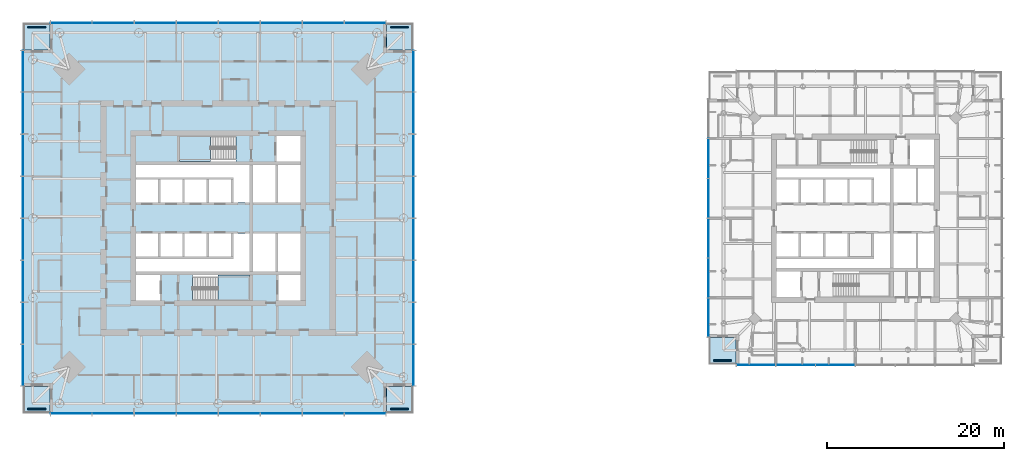
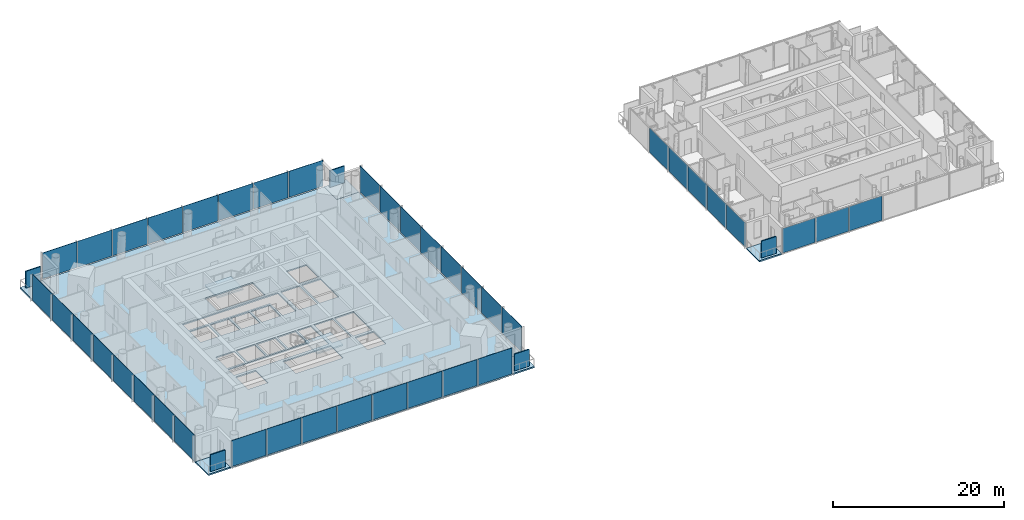
# One storey, part 6 of 19: 45 plates, 8 slabs, 8 elements without a shape of their own.
"""IFC4 building model written with IfcOpenShell, lengths in metres."""

from ifc_helpers import new_model, si_unit, direction, frame, origin, origin_2d, place, context, subcontext, project, spatial, polyline, rectangle, outline, extrude, material, layer, layer_set, type_object, element, aggregate, save


model = new_model("IFC4")

# Units and contexts
model_context = context("Model", 3, precision=1e-05, world=origin(), true_north=direction((0.0, 1.0)))
body_context = subcontext(model_context, "Body", "Model", "MODEL_VIEW")
ifc_project = project(units=[si_unit("LENGTHUNIT", "METRE"), si_unit("AREAUNIT", "SQUARE_METRE"), si_unit("VOLUMEUNIT", "CUBIC_METRE"), si_unit("PLANEANGLEUNIT", "RADIAN"), si_unit("MASSUNIT", "GRAM", prefix="KILO")], contexts=[model_context])

# Site, building, storey
site_placement = place(None, origin())
site = spatial("IfcSite", under=ifc_project, at=site_placement, CompositionType="ELEMENT")
building_placement = place(site_placement, origin())
building = spatial("IfcBuilding", under=site, at=building_placement, Name="Ostroluk Exchange", CompositionType="ELEMENT")
storey_placement = place(building_placement, frame((0.0, 0.0, 116.0)))
storey = spatial("IfcBuildingStorey", under=building, at=storey_placement, Name="L29", CompositionType="ELEMENT", Elevation=116.0)

# Curtain wall, plates
ifc_material_1 = material(Name="Laminated clear glass", Category="glass")
curtain_wall_type_1 = type_object("IfcCurtainWallType", Name="Hotel guest floor facade", PredefinedType="USERDEFINED", material=ifc_material_1)
curtain_wall_1_placement = place(storey_placement, origin())
curtain_wall_1 = element("IfcCurtainWall", 1, at=curtain_wall_1_placement, inside=storey, type_object=curtain_wall_type_1, Name="Hotel tower south facade L29", ObjectType="UNITISED CURTAIN WALL", PredefinedType="USERDEFINED")
ifc_material_2 = material(Name="Laminated clear glass", Category="glass")
ifc_layer_1 = layer(ifc_material_2, 0.0400390625)
ifc_layer_set_1 = layer_set([ifc_layer_1], Name="Acoustic laminated glazing 40")
plate_type_1 = type_object("IfcPlateType", Name="Acoustic laminated glazing 40", PredefinedType="CURTAIN_PANEL", material=ifc_layer_set_1)
plate_1_placement = place(storey_placement, frame((105.77001953125, 29.425048828125, 0.080078125), z_axis=(0.0, 0.0, 1.0), x_axis=(1.0, 0.0, 0.0)))
plate_1 = element("IfcPlate", 2, at=plate_1_placement, type_object=plate_type_1, Name="CW-H1 panel 1.1", PredefinedType="CURTAIN_PANEL", context=body_context, shape_type="SweptSolid", body=[
    extrude(rectangle(XDim=4.3798828125, YDim=0.0400390625, at=origin_2d()), origin(), (0.0, 0.0, 1.0), 3.489990234375),
])
plate_2_placement = place(storey_placement, frame((110.25, 29.425048828125, 0.080078125), z_axis=(0.0, 0.0, 1.0), x_axis=(1.0, 0.0, 0.0)))
plate_2 = element("IfcPlate", 3, at=plate_2_placement, type_object=plate_type_1, Name="CW-H1 panel 2.1", PredefinedType="CURTAIN_PANEL", context=body_context, shape_type="SweptSolid", body=[
    extrude(rectangle(XDim=4.419921875, YDim=0.0400390625, at=origin_2d()), origin(), (0.0, 0.0, 1.0), 3.489990234375),
])
plate_3_placement = place(storey_placement, frame((114.75, 29.425048828125, 0.080078125), z_axis=(0.0, 0.0, 1.0), x_axis=(1.0, 0.0, 0.0)))
plate_3 = element("IfcPlate", 4, at=plate_3_placement, type_object=plate_type_1, Name="CW-H1 panel 3.1", PredefinedType="CURTAIN_PANEL", context=body_context, shape_type="SweptSolid", body=[
    extrude(rectangle(XDim=4.419921875, YDim=0.0400390625, at=origin_2d()), origin(), (0.0, 0.0, 1.0), 3.489990234375),
])
aggregate(curtain_wall_1, [plate_1, plate_2, plate_3])

curtain_wall_2_placement = place(storey_placement, origin())
curtain_wall_2 = element("IfcCurtainWall", 5, at=curtain_wall_2_placement, inside=storey, type_object=curtain_wall_type_1, Name="Hotel tower west facade L29", ObjectType="UNITISED CURTAIN WALL", PredefinedType="USERDEFINED")
plate_4_placement = place(storey_placement, frame((100.425048828125, 52.75, 0.080078125), z_axis=(0.0, 0.0, 1.0), x_axis=(0.0, -1.0, 0.0)))
plate_4 = element("IfcPlate", 6, at=plate_4_placement, type_object=plate_type_1, Name="CW-H1 panel 2.1", PredefinedType="CURTAIN_PANEL", context=body_context, shape_type="SweptSolid", body=[
    extrude(rectangle(XDim=4.419921875, YDim=0.0400390625, at=origin_2d()), origin(), (0.0, 0.0, 1.0), 3.489990234375),
])
plate_5_placement = place(storey_placement, frame((100.425048828125, 48.25, 0.080078125), z_axis=(0.0, 0.0, 1.0), x_axis=(0.0, -1.0, 0.0)))
plate_5 = element("IfcPlate", 7, at=plate_5_placement, type_object=plate_type_1, Name="CW-H1 panel 3.1", PredefinedType="CURTAIN_PANEL", context=body_context, shape_type="SweptSolid", body=[
    extrude(rectangle(XDim=4.419921875, YDim=0.0400390625, at=origin_2d()), origin(), (0.0, 0.0, 1.0), 3.489990234375),
])
plate_6_placement = place(storey_placement, frame((100.425048828125, 43.75, 0.080078125), z_axis=(0.0, 0.0, 1.0), x_axis=(0.0, -1.0, 0.0)))
plate_6 = element("IfcPlate", 8, at=plate_6_placement, type_object=plate_type_1, Name="CW-H1 panel 4.1", PredefinedType="CURTAIN_PANEL", context=body_context, shape_type="SweptSolid", body=[
    extrude(rectangle(XDim=4.419921875, YDim=0.0400390625, at=origin_2d()), origin(), (0.0, 0.0, 1.0), 3.489990234375),
])
plate_7_placement = place(storey_placement, frame((100.425048828125, 39.25, 0.080078125), z_axis=(0.0, 0.0, 1.0), x_axis=(0.0, -1.0, 0.0)))
plate_7 = element("IfcPlate", 9, at=plate_7_placement, type_object=plate_type_1, Name="CW-H1 panel 5.1", PredefinedType="CURTAIN_PANEL", context=body_context, shape_type="SweptSolid", body=[
    extrude(rectangle(XDim=4.419921875, YDim=0.0400390625, at=origin_2d()), origin(), (0.0, 0.0, 1.0), 3.489990234375),
])
plate_8_placement = place(storey_placement, frame((100.425048828125, 34.77001953125, 0.080078125), z_axis=(0.0, 0.0, 1.0), x_axis=(0.0, -1.0, 0.0)))
plate_8 = element("IfcPlate", 10, at=plate_8_placement, type_object=plate_type_1, Name="CW-H1 panel 6.1", PredefinedType="CURTAIN_PANEL", context=body_context, shape_type="SweptSolid", body=[
    extrude(rectangle(XDim=4.3798828125, YDim=0.0400390625, at=origin_2d()), origin(), (0.0, 0.0, 1.0), 3.489990234375),
])
aggregate(curtain_wall_2, [plate_4, plate_5, plate_6, plate_7, plate_8])

# Slabs
ifc_material_3 = material(Name="Concrete C35/45", Category="concrete")
ifc_layer_2 = layer(ifc_material_3, 0.179931640625)
ifc_layer_set_2 = layer_set([ifc_layer_2], Name="Balcony slab 180")
slab_type_1 = type_object("IfcSlabType", Name="Balcony slab 180", PredefinedType="USERDEFINED", material=ifc_layer_set_2)
slab_1_placement = place(storey_placement, frame((0.0, 0.0, -0.179931640625)))
element("IfcSlab", 11, at=slab_1_placement, inside=storey, type_object=slab_type_1, Name="Office tower SE corner balcony L29", ObjectType="BALCONY", PredefinedType="USERDEFINED", context=body_context, shape_type="SweptSolid", body=[
    extrude(outline(polyline([(64.0, 24.0), (67.0, 24.0), (67.0, 27.0), (64.0, 27.0), (64.0, 24.0)])), origin(), (0.0, 0.0, 1.0), 0.179931640625),
])
slab_2_placement = place(storey_placement, frame((0.0, 0.0, -0.179931640625)))
element("IfcSlab", 12, at=slab_2_placement, inside=storey, type_object=slab_type_1, Name="Office tower NE corner balcony L29", ObjectType="BALCONY", PredefinedType="USERDEFINED", context=body_context, shape_type="SweptSolid", body=[
    extrude(outline(polyline([(64.0, 65.0), (67.0, 65.0), (67.0, 68.0), (64.0, 68.0), (64.0, 65.0)])), origin(), (0.0, 0.0, 1.0), 0.179931640625),
])
slab_3_placement = place(storey_placement, frame((0.0, 0.0, -0.179931640625)))
element("IfcSlab", 13, at=slab_3_placement, inside=storey, type_object=slab_type_1, Name="Office tower NW corner balcony L29", ObjectType="BALCONY", PredefinedType="USERDEFINED", context=body_context, shape_type="SweptSolid", body=[
    extrude(outline(polyline([(23.0, 65.0), (26.0, 65.0), (26.0, 68.0), (23.0, 68.0), (23.0, 65.0)])), origin(), (0.0, 0.0, 1.0), 0.179931640625),
])
slab_4_placement = place(storey_placement, frame((0.0, 0.0, -0.179931640625)))
element("IfcSlab", 14, at=slab_4_placement, inside=storey, type_object=slab_type_1, Name="Office tower SW corner balcony L29", ObjectType="BALCONY", PredefinedType="USERDEFINED", context=body_context, shape_type="SweptSolid", body=[
    extrude(outline(polyline([(23.0, 24.0), (26.0, 24.0), (26.0, 27.0), (23.0, 27.0), (23.0, 24.0)])), origin(), (0.0, 0.0, 1.0), 0.179931640625),
])
ifc_material_4 = material(Name="Concrete C35/45", Category="concrete")
ifc_layer_3 = layer(ifc_material_4, 0.199951171875)
ifc_layer_set_3 = layer_set([ifc_layer_3], Name="Balcony slab 200")
slab_type_2 = type_object("IfcSlabType", Name="Balcony slab 200", PredefinedType="USERDEFINED", material=ifc_layer_set_3)
slab_5_placement = place(storey_placement, frame((0.0, 0.0, -0.199951171875)))
element("IfcSlab", 15, at=slab_5_placement, inside=storey, type_object=slab_type_2, Name="Hotel tower SW corner balcony L29", ObjectType="BALCONY", PredefinedType="USERDEFINED", context=body_context, shape_type="SweptSolid", body=[
    extrude(outline(polyline([(100.5, 29.5), (103.5, 29.5), (103.5, 32.5), (100.5, 32.5), (100.5, 29.5)])), origin(), (0.0, 0.0, 1.0), 0.199951171875),
])

# Plates
ifc_material_5 = material(Name="Steel S355 trellis with planting", Category="steel")
ifc_layer_4 = layer(ifc_material_5, 0.14990234375)
ifc_layer_set_4 = layer_set([ifc_layer_4], Name="Planted screen 150")
plate_type_2 = type_object("IfcPlateType", Name="Planted screen 150", PredefinedType="USERDEFINED", material=ifc_layer_set_4)
for number, where, z_axis, x_axis, name in (
    (16, (65.5, 24.425048828125, 0.0), (0.0, 0.0, 1.0), (1.0, 0.0, 0.0), "Office tower SE planted screen L29"),
    (17, (65.5, 67.574951171875, 0.0), (0.0, 0.0, 1.0), (1.0, 0.0, 0.0), "Office tower NE planted screen L29"),
    (18, (24.5, 67.574951171875, 0.0), (0.0, 0.0, 1.0), (1.0, 0.0, 0.0), "Office tower NW planted screen L29"),
    (19, (24.5, 24.425048828125, 0.0), (0.0, 0.0, 1.0), (1.0, 0.0, 0.0), "Office tower SW planted screen L29"),
    (20, (102.0, 29.925048828125, 0.0), (0.0, 0.0, 1.0), (1.0, 0.0, 0.0), "Hotel tower SW planted screen L29"),
):
    element("IfcPlate", number, at=place(storey_placement, frame(where, z_axis=z_axis, x_axis=x_axis)), inside=storey, type_object=plate_type_2, Name=name, ObjectType="PLANTED SCREEN", PredefinedType="USERDEFINED", context=body_context, shape_type="SweptSolid", body=[
        extrude(rectangle(XDim=2.0, YDim=0.14990234375, at=origin_2d()), origin(), (0.0, 0.0, 1.0), 2.39990234375),
    ])

# Stair, slab
ifc_material_6 = material(Name="Concrete C30/37", Category="concrete")
stair_type = type_object("IfcStairType", Name="Exit stair half turn 3800", PredefinedType="HALF_TURN_STAIR", material=ifc_material_6)
stair_1_placement = place(storey_placement, origin())
stair_1 = element("IfcStair", 21, at=stair_1_placement, inside=storey, type_object=stair_type, Name="Stair T1-S1 L29", PredefinedType="HALF_TURN_STAIR")
ifc_material_7 = material(Name="Concrete C30/37", Category="concrete")
ifc_layer_5 = layer(ifc_material_7, 0.199951171875)
ifc_layer_set_5 = layer_set([ifc_layer_5], Name="Stair landing 200")
slab_type_3 = type_object("IfcSlabType", Name="Stair landing 200", PredefinedType="LANDING", material=ifc_layer_set_5)
slab_6_placement = place(storey_placement, frame((0.0, 0.0, 1.699951171875)))
slab_6 = element("IfcSlab", 22, at=slab_6_placement, type_object=slab_type_3, Name="T1-S1 landing 1", PredefinedType="LANDING", context=body_context, shape_type="SweptSolid", body=[
    extrude(outline(polyline([(45.0, 36.699951171875), (45.0, 39.60009765625), (48.530029296875, 39.60009765625), (48.530029296875, 36.699951171875), (45.0, 36.699951171875)])), origin(), (0.0, 0.0, 1.0), 0.199951171875),
])
aggregate(stair_1, [slab_6])

stair_2_placement = place(storey_placement, origin())
stair_2 = element("IfcStair", 23, at=stair_2_placement, inside=storey, type_object=stair_type, Name="Stair T1-S2 L29", PredefinedType="HALF_TURN_STAIR")
slab_7_placement = place(storey_placement, frame((0.0, 0.0, 1.699951171875)))
slab_7 = element("IfcSlab", 24, at=slab_7_placement, type_object=slab_type_3, Name="T1-S2 landing 1", PredefinedType="LANDING", context=body_context, shape_type="SweptSolid", body=[
    extrude(outline(polyline([(44.1298828125, 52.39990234375), (44.1298828125, 55.300048828125), (40.60009765625, 55.300048828125), (40.60009765625, 52.39990234375), (44.1298828125, 52.39990234375)])), origin(), (0.0, 0.0, 1.0), 0.199951171875),
])
aggregate(stair_2, [slab_7])

# Slab
ifc_material_8 = material(Name="Concrete C35/45", Category="concrete")
ifc_layer_6 = layer(ifc_material_8, 0.179931640625)
ifc_layer_set_6 = layer_set([ifc_layer_6], Name="Tower floor slab 180 composite")
slab_type_4 = type_object("IfcSlabType", Name="Tower floor slab 180 composite", PredefinedType="FLOOR", material=ifc_layer_set_6)
slab_8_placement = place(storey_placement, frame((0.0, 0.0, -0.179931640625)))
element("IfcSlab", 25, at=slab_8_placement, inside=storey, type_object=slab_type_4, Name="Office tower floor slab L29", PredefinedType="FLOOR", context=body_context, shape_type="SweptSolid", body=[
    extrude(outline(polyline([(26.0, 24.0), (64.0, 24.0), (64.0, 27.0), (67.0, 27.0), (67.0, 65.0), (64.0, 65.0), (64.0, 68.0), (26.0, 68.0), (26.0, 65.0), (23.0, 65.0), (23.0, 27.0), (26.0, 27.0), (26.0, 24.0)]), holes=[polyline([(35.699951171875, 36.699951171875), (38.39990234375, 36.699951171875), (38.39990234375, 39.60009765625), (35.699951171875, 39.60009765625), (35.699951171875, 36.699951171875)]), polyline([(42.110107421875, 36.699951171875), (48.530029296875, 36.699951171875), (48.530029296875, 39.60009765625), (42.110107421875, 39.60009765625), (42.110107421875, 36.699951171875)]), polyline([(51.800048828125, 36.699951171875), (54.300048828125, 36.699951171875), (54.300048828125, 39.60009765625), (51.800048828125, 39.60009765625), (51.800048828125, 36.699951171875)]), polyline([(40.60009765625, 52.39990234375), (47.02001953125, 52.39990234375), (47.02001953125, 55.300048828125), (40.60009765625, 55.300048828125), (40.60009765625, 52.39990234375)]), polyline([(51.60009765625, 52.39990234375), (54.300048828125, 52.39990234375), (54.300048828125, 55.300048828125), (51.60009765625, 55.300048828125), (51.60009765625, 52.39990234375)]), polyline([(35.699951171875, 47.75), (38.199951171875, 47.75), (38.199951171875, 50.35009765625), (35.699951171875, 50.35009765625), (35.699951171875, 47.75)]), polyline([(38.449951171875, 47.75), (40.949951171875, 47.75), (40.949951171875, 50.35009765625), (38.449951171875, 50.35009765625), (38.449951171875, 47.75)]), polyline([(41.199951171875, 47.75), (43.699951171875, 47.75), (43.699951171875, 50.35009765625), (41.199951171875, 50.35009765625), (41.199951171875, 47.75)]), polyline([(43.949951171875, 47.75), (46.449951171875, 47.75), (46.449951171875, 50.35009765625), (43.949951171875, 50.35009765625), (43.949951171875, 47.75)]), polyline([(35.699951171875, 41.64990234375), (38.199951171875, 41.64990234375), (38.199951171875, 44.25), (35.699951171875, 44.25), (35.699951171875, 41.64990234375)]), polyline([(38.449951171875, 41.64990234375), (40.949951171875, 41.64990234375), (40.949951171875, 44.25), (38.449951171875, 44.25), (38.449951171875, 41.64990234375)]), polyline([(41.199951171875, 41.64990234375), (43.699951171875, 41.64990234375), (43.699951171875, 44.25), (41.199951171875, 44.25), (41.199951171875, 41.64990234375)]), polyline([(43.949951171875, 41.64990234375), (46.449951171875, 41.64990234375), (46.449951171875, 44.25), (43.949951171875, 44.25), (43.949951171875, 41.64990234375)]), polyline([(48.929931640625, 47.75), (51.489990234375, 47.75), (51.489990234375, 52.0), (48.929931640625, 52.0), (48.929931640625, 47.75)]), polyline([(51.739990234375, 47.75), (54.300048828125, 47.75), (54.300048828125, 52.0), (51.739990234375, 52.0), (51.739990234375, 47.75)]), polyline([(48.929931640625, 40.0), (51.489990234375, 40.0), (51.489990234375, 44.25), (48.929931640625, 44.25), (48.929931640625, 40.0)]), polyline([(51.739990234375, 40.0), (54.300048828125, 40.0), (54.300048828125, 44.25), (51.739990234375, 44.25), (51.739990234375, 40.0)]), polyline([(48.530029296875, 52.0), (48.530029296875, 47.75), (46.699951171875, 47.75), (46.699951171875, 50.60009765625), (35.699951171875, 50.60009765625), (35.699951171875, 52.0), (48.530029296875, 52.0)]), polyline([(35.699951171875, 40.0), (35.699951171875, 41.39990234375), (46.699951171875, 41.39990234375), (46.699951171875, 44.25), (48.530029296875, 44.25), (48.530029296875, 40.0), (35.699951171875, 40.0)])]), origin(), (0.0, 0.0, 1.0), 0.179931640625),
])

# Curtain wall, plates
ifc_material_9 = material(Name="Laminated clear glass", Category="glass")
curtain_wall_type_2 = type_object("IfcCurtainWallType", Name="Office tower facade", PredefinedType="USERDEFINED", material=ifc_material_9)
curtain_wall_3_placement = place(storey_placement, origin())
curtain_wall_3 = element("IfcCurtainWall", 26, at=curtain_wall_3_placement, inside=storey, type_object=curtain_wall_type_2, Name="Office tower south facade L29", ObjectType="UNITISED CURTAIN WALL", PredefinedType="USERDEFINED")
ifc_material_10 = material(Name="Laminated clear glass", Category="glass")
ifc_layer_7 = layer(ifc_material_10, 0.0439453125)
ifc_layer_set_7 = layer_set([ifc_layer_7], Name="Triple laminated clear glazing 44")
plate_type_3 = type_object("IfcPlateType", Name="Triple laminated clear glazing 44", PredefinedType="CURTAIN_PANEL", material=ifc_layer_set_7)
plate_9_placement = place(storey_placement, frame((28.39501953125, 23.925048828125, 0.080078125), z_axis=(0.0, 0.0, 1.0), x_axis=(1.0, 0.0, 0.0)))
plate_9 = element("IfcPlate", 27, at=plate_9_placement, type_object=plate_type_3, Name="CW-O1 panel 1.1", PredefinedType="CURTAIN_PANEL", context=body_context, shape_type="SweptSolid", body=[
    extrude(rectangle(XDim=4.6298828125, YDim=0.0439453125, at=origin_2d()), origin(), (0.0, 0.0, 1.0), 3.719970703125),
])
plate_10_placement = place(storey_placement, frame((33.125, 23.925048828125, 0.080078125), z_axis=(0.0, 0.0, 1.0), x_axis=(1.0, 0.0, 0.0)))
plate_10 = element("IfcPlate", 28, at=plate_10_placement, type_object=plate_type_3, Name="CW-O1 panel 2.1", PredefinedType="CURTAIN_PANEL", context=body_context, shape_type="SweptSolid", body=[
    extrude(rectangle(XDim=4.669921875, YDim=0.0439453125, at=origin_2d()), origin(), (0.0, 0.0, 1.0), 3.719970703125),
])
plate_11_placement = place(storey_placement, frame((37.875, 23.925048828125, 0.080078125), z_axis=(0.0, 0.0, 1.0), x_axis=(1.0, 0.0, 0.0)))
plate_11 = element("IfcPlate", 29, at=plate_11_placement, type_object=plate_type_3, Name="CW-O1 panel 3.1", PredefinedType="CURTAIN_PANEL", context=body_context, shape_type="SweptSolid", body=[
    extrude(rectangle(XDim=4.669921875, YDim=0.0439453125, at=origin_2d()), origin(), (0.0, 0.0, 1.0), 3.719970703125),
])
plate_12_placement = place(storey_placement, frame((42.625, 23.925048828125, 0.080078125), z_axis=(0.0, 0.0, 1.0), x_axis=(1.0, 0.0, 0.0)))
plate_12 = element("IfcPlate", 30, at=plate_12_placement, type_object=plate_type_3, Name="CW-O1 panel 4.1", PredefinedType="CURTAIN_PANEL", context=body_context, shape_type="SweptSolid", body=[
    extrude(rectangle(XDim=4.669921875, YDim=0.0439453125, at=origin_2d()), origin(), (0.0, 0.0, 1.0), 3.719970703125),
])
plate_13_placement = place(storey_placement, frame((47.375, 23.925048828125, 0.080078125), z_axis=(0.0, 0.0, 1.0), x_axis=(1.0, 0.0, 0.0)))
plate_13 = element("IfcPlate", 31, at=plate_13_placement, type_object=plate_type_3, Name="CW-O1 panel 5.1", PredefinedType="CURTAIN_PANEL", context=body_context, shape_type="SweptSolid", body=[
    extrude(rectangle(XDim=4.669921875, YDim=0.0439453125, at=origin_2d()), origin(), (0.0, 0.0, 1.0), 3.719970703125),
])
plate_14_placement = place(storey_placement, frame((52.125, 23.925048828125, 0.080078125), z_axis=(0.0, 0.0, 1.0), x_axis=(1.0, 0.0, 0.0)))
plate_14 = element("IfcPlate", 32, at=plate_14_placement, type_object=plate_type_3, Name="CW-O1 panel 6.1", PredefinedType="CURTAIN_PANEL", context=body_context, shape_type="SweptSolid", body=[
    extrude(rectangle(XDim=4.669921875, YDim=0.0439453125, at=origin_2d()), origin(), (0.0, 0.0, 1.0), 3.719970703125),
])
plate_15_placement = place(storey_placement, frame((56.875, 23.925048828125, 0.080078125), z_axis=(0.0, 0.0, 1.0), x_axis=(1.0, 0.0, 0.0)))
plate_15 = element("IfcPlate", 33, at=plate_15_placement, type_object=plate_type_3, Name="CW-O1 panel 7.1", PredefinedType="CURTAIN_PANEL", context=body_context, shape_type="SweptSolid", body=[
    extrude(rectangle(XDim=4.669921875, YDim=0.0439453125, at=origin_2d()), origin(), (0.0, 0.0, 1.0), 3.719970703125),
])
plate_16_placement = place(storey_placement, frame((61.60498046875, 23.925048828125, 0.080078125), z_axis=(0.0, 0.0, 1.0), x_axis=(1.0, 0.0, 0.0)))
plate_16 = element("IfcPlate", 34, at=plate_16_placement, type_object=plate_type_3, Name="CW-O1 panel 8.1", PredefinedType="CURTAIN_PANEL", context=body_context, shape_type="SweptSolid", body=[
    extrude(rectangle(XDim=4.6298828125, YDim=0.0439453125, at=origin_2d()), origin(), (0.0, 0.0, 1.0), 3.719970703125),
])
aggregate(curtain_wall_3, [plate_9, plate_10, plate_11, plate_12, plate_13, plate_14, plate_15, plate_16])

curtain_wall_4_placement = place(storey_placement, origin())
curtain_wall_4 = element("IfcCurtainWall", 35, at=curtain_wall_4_placement, inside=storey, type_object=curtain_wall_type_2, Name="Office tower east facade L29", ObjectType="UNITISED CURTAIN WALL", PredefinedType="USERDEFINED")
plate_17_placement = place(storey_placement, frame((67.074951171875, 29.39501953125, 0.080078125), z_axis=(0.0, 0.0, 1.0), x_axis=(0.0, 1.0, 0.0)))
plate_17 = element("IfcPlate", 36, at=plate_17_placement, type_object=plate_type_3, Name="CW-O1 panel 1.1", PredefinedType="CURTAIN_PANEL", context=body_context, shape_type="SweptSolid", body=[
    extrude(rectangle(XDim=4.6298828125, YDim=0.0439453125, at=origin_2d()), origin(), (0.0, 0.0, 1.0), 3.719970703125),
])
plate_18_placement = place(storey_placement, frame((67.074951171875, 34.125, 0.080078125), z_axis=(0.0, 0.0, 1.0), x_axis=(0.0, 1.0, 0.0)))
plate_18 = element("IfcPlate", 37, at=plate_18_placement, type_object=plate_type_3, Name="CW-O1 panel 2.1", PredefinedType="CURTAIN_PANEL", context=body_context, shape_type="SweptSolid", body=[
    extrude(rectangle(XDim=4.669921875, YDim=0.0439453125, at=origin_2d()), origin(), (0.0, 0.0, 1.0), 3.719970703125),
])
plate_19_placement = place(storey_placement, frame((67.074951171875, 38.875, 0.080078125), z_axis=(0.0, 0.0, 1.0), x_axis=(0.0, 1.0, 0.0)))
plate_19 = element("IfcPlate", 38, at=plate_19_placement, type_object=plate_type_3, Name="CW-O1 panel 3.1", PredefinedType="CURTAIN_PANEL", context=body_context, shape_type="SweptSolid", body=[
    extrude(rectangle(XDim=4.669921875, YDim=0.0439453125, at=origin_2d()), origin(), (0.0, 0.0, 1.0), 3.719970703125),
])
plate_20_placement = place(storey_placement, frame((67.074951171875, 43.625, 0.080078125), z_axis=(0.0, 0.0, 1.0), x_axis=(0.0, 1.0, 0.0)))
plate_20 = element("IfcPlate", 39, at=plate_20_placement, type_object=plate_type_3, Name="CW-O1 panel 4.1", PredefinedType="CURTAIN_PANEL", context=body_context, shape_type="SweptSolid", body=[
    extrude(rectangle(XDim=4.669921875, YDim=0.0439453125, at=origin_2d()), origin(), (0.0, 0.0, 1.0), 3.719970703125),
])
plate_21_placement = place(storey_placement, frame((67.074951171875, 48.375, 0.080078125), z_axis=(0.0, 0.0, 1.0), x_axis=(0.0, 1.0, 0.0)))
plate_21 = element("IfcPlate", 40, at=plate_21_placement, type_object=plate_type_3, Name="CW-O1 panel 5.1", PredefinedType="CURTAIN_PANEL", context=body_context, shape_type="SweptSolid", body=[
    extrude(rectangle(XDim=4.669921875, YDim=0.0439453125, at=origin_2d()), origin(), (0.0, 0.0, 1.0), 3.719970703125),
])
plate_22_placement = place(storey_placement, frame((67.074951171875, 53.125, 0.080078125), z_axis=(0.0, 0.0, 1.0), x_axis=(0.0, 1.0, 0.0)))
plate_22 = element("IfcPlate", 41, at=plate_22_placement, type_object=plate_type_3, Name="CW-O1 panel 6.1", PredefinedType="CURTAIN_PANEL", context=body_context, shape_type="SweptSolid", body=[
    extrude(rectangle(XDim=4.669921875, YDim=0.0439453125, at=origin_2d()), origin(), (0.0, 0.0, 1.0), 3.719970703125),
])
plate_23_placement = place(storey_placement, frame((67.074951171875, 57.875, 0.080078125), z_axis=(0.0, 0.0, 1.0), x_axis=(0.0, 1.0, 0.0)))
plate_23 = element("IfcPlate", 42, at=plate_23_placement, type_object=plate_type_3, Name="CW-O1 panel 7.1", PredefinedType="CURTAIN_PANEL", context=body_context, shape_type="SweptSolid", body=[
    extrude(rectangle(XDim=4.669921875, YDim=0.0439453125, at=origin_2d()), origin(), (0.0, 0.0, 1.0), 3.719970703125),
])
plate_24_placement = place(storey_placement, frame((67.074951171875, 62.60498046875, 0.080078125), z_axis=(0.0, 0.0, 1.0), x_axis=(0.0, 1.0, 0.0)))
plate_24 = element("IfcPlate", 43, at=plate_24_placement, type_object=plate_type_3, Name="CW-O1 panel 8.1", PredefinedType="CURTAIN_PANEL", context=body_context, shape_type="SweptSolid", body=[
    extrude(rectangle(XDim=4.6298828125, YDim=0.0439453125, at=origin_2d()), origin(), (0.0, 0.0, 1.0), 3.719970703125),
])
aggregate(curtain_wall_4, [plate_17, plate_18, plate_19, plate_20, plate_21, plate_22, plate_23, plate_24])

curtain_wall_5_placement = place(storey_placement, origin())
curtain_wall_5 = element("IfcCurtainWall", 44, at=curtain_wall_5_placement, inside=storey, type_object=curtain_wall_type_2, Name="Office tower north facade L29", ObjectType="UNITISED CURTAIN WALL", PredefinedType="USERDEFINED")
plate_25_placement = place(storey_placement, frame((61.60498046875, 68.074951171875, 0.080078125), z_axis=(0.0, 0.0, 1.0), x_axis=(-1.0, 0.0, 0.0)))
plate_25 = element("IfcPlate", 45, at=plate_25_placement, type_object=plate_type_3, Name="CW-O1 panel 1.1", PredefinedType="CURTAIN_PANEL", context=body_context, shape_type="SweptSolid", body=[
    extrude(rectangle(XDim=4.6298828125, YDim=0.0439453125, at=origin_2d()), origin(), (0.0, 0.0, 1.0), 3.719970703125),
])
plate_26_placement = place(storey_placement, frame((56.875, 68.074951171875, 0.080078125), z_axis=(0.0, 0.0, 1.0), x_axis=(-1.0, 0.0, 0.0)))
plate_26 = element("IfcPlate", 46, at=plate_26_placement, type_object=plate_type_3, Name="CW-O1 panel 2.1", PredefinedType="CURTAIN_PANEL", context=body_context, shape_type="SweptSolid", body=[
    extrude(rectangle(XDim=4.669921875, YDim=0.0439453125, at=origin_2d()), origin(), (0.0, 0.0, 1.0), 3.719970703125),
])
plate_27_placement = place(storey_placement, frame((52.125, 68.074951171875, 0.080078125), z_axis=(0.0, 0.0, 1.0), x_axis=(-1.0, 0.0, 0.0)))
plate_27 = element("IfcPlate", 47, at=plate_27_placement, type_object=plate_type_3, Name="CW-O1 panel 3.1", PredefinedType="CURTAIN_PANEL", context=body_context, shape_type="SweptSolid", body=[
    extrude(rectangle(XDim=4.669921875, YDim=0.0439453125, at=origin_2d()), origin(), (0.0, 0.0, 1.0), 3.719970703125),
])
plate_28_placement = place(storey_placement, frame((47.375, 68.074951171875, 0.080078125), z_axis=(0.0, 0.0, 1.0), x_axis=(-1.0, 0.0, 0.0)))
plate_28 = element("IfcPlate", 48, at=plate_28_placement, type_object=plate_type_3, Name="CW-O1 panel 4.1", PredefinedType="CURTAIN_PANEL", context=body_context, shape_type="SweptSolid", body=[
    extrude(rectangle(XDim=4.669921875, YDim=0.0439453125, at=origin_2d()), origin(), (0.0, 0.0, 1.0), 3.719970703125),
])
plate_29_placement = place(storey_placement, frame((42.625, 68.074951171875, 0.080078125), z_axis=(0.0, 0.0, 1.0), x_axis=(-1.0, 0.0, 0.0)))
plate_29 = element("IfcPlate", 49, at=plate_29_placement, type_object=plate_type_3, Name="CW-O1 panel 5.1", PredefinedType="CURTAIN_PANEL", context=body_context, shape_type="SweptSolid", body=[
    extrude(rectangle(XDim=4.669921875, YDim=0.0439453125, at=origin_2d()), origin(), (0.0, 0.0, 1.0), 3.719970703125),
])
plate_30_placement = place(storey_placement, frame((37.875, 68.074951171875, 0.080078125), z_axis=(0.0, 0.0, 1.0), x_axis=(-1.0, 0.0, 0.0)))
plate_30 = element("IfcPlate", 50, at=plate_30_placement, type_object=plate_type_3, Name="CW-O1 panel 6.1", PredefinedType="CURTAIN_PANEL", context=body_context, shape_type="SweptSolid", body=[
    extrude(rectangle(XDim=4.669921875, YDim=0.0439453125, at=origin_2d()), origin(), (0.0, 0.0, 1.0), 3.719970703125),
])
plate_31_placement = place(storey_placement, frame((33.125, 68.074951171875, 0.080078125), z_axis=(0.0, 0.0, 1.0), x_axis=(-1.0, 0.0, 0.0)))
plate_31 = element("IfcPlate", 51, at=plate_31_placement, type_object=plate_type_3, Name="CW-O1 panel 7.1", PredefinedType="CURTAIN_PANEL", context=body_context, shape_type="SweptSolid", body=[
    extrude(rectangle(XDim=4.669921875, YDim=0.0439453125, at=origin_2d()), origin(), (0.0, 0.0, 1.0), 3.719970703125),
])
plate_32_placement = place(storey_placement, frame((28.39501953125, 68.074951171875, 0.080078125), z_axis=(0.0, 0.0, 1.0), x_axis=(-1.0, 0.0, 0.0)))
plate_32 = element("IfcPlate", 52, at=plate_32_placement, type_object=plate_type_3, Name="CW-O1 panel 8.1", PredefinedType="CURTAIN_PANEL", context=body_context, shape_type="SweptSolid", body=[
    extrude(rectangle(XDim=4.6298828125, YDim=0.0439453125, at=origin_2d()), origin(), (0.0, 0.0, 1.0), 3.719970703125),
])
aggregate(curtain_wall_5, [plate_25, plate_26, plate_27, plate_28, plate_29, plate_30, plate_31, plate_32])

curtain_wall_6_placement = place(storey_placement, origin())
curtain_wall_6 = element("IfcCurtainWall", 53, at=curtain_wall_6_placement, inside=storey, type_object=curtain_wall_type_2, Name="Office tower west facade L29", ObjectType="UNITISED CURTAIN WALL", PredefinedType="USERDEFINED")
plate_33_placement = place(storey_placement, frame((22.925048828125, 62.60498046875, 0.080078125), z_axis=(0.0, 0.0, 1.0), x_axis=(0.0, -1.0, 0.0)))
plate_33 = element("IfcPlate", 54, at=plate_33_placement, type_object=plate_type_3, Name="CW-O1 panel 1.1", PredefinedType="CURTAIN_PANEL", context=body_context, shape_type="SweptSolid", body=[
    extrude(rectangle(XDim=4.6298828125, YDim=0.0439453125, at=origin_2d()), origin(), (0.0, 0.0, 1.0), 3.719970703125),
])
plate_34_placement = place(storey_placement, frame((22.925048828125, 57.875, 0.080078125), z_axis=(0.0, 0.0, 1.0), x_axis=(0.0, -1.0, 0.0)))
plate_34 = element("IfcPlate", 55, at=plate_34_placement, type_object=plate_type_3, Name="CW-O1 panel 2.1", PredefinedType="CURTAIN_PANEL", context=body_context, shape_type="SweptSolid", body=[
    extrude(rectangle(XDim=4.669921875, YDim=0.0439453125, at=origin_2d()), origin(), (0.0, 0.0, 1.0), 3.719970703125),
])
plate_35_placement = place(storey_placement, frame((22.925048828125, 53.125, 0.080078125), z_axis=(0.0, 0.0, 1.0), x_axis=(0.0, -1.0, 0.0)))
plate_35 = element("IfcPlate", 56, at=plate_35_placement, type_object=plate_type_3, Name="CW-O1 panel 3.1", PredefinedType="CURTAIN_PANEL", context=body_context, shape_type="SweptSolid", body=[
    extrude(rectangle(XDim=4.669921875, YDim=0.0439453125, at=origin_2d()), origin(), (0.0, 0.0, 1.0), 3.719970703125),
])
plate_36_placement = place(storey_placement, frame((22.925048828125, 48.375, 0.080078125), z_axis=(0.0, 0.0, 1.0), x_axis=(0.0, -1.0, 0.0)))
plate_36 = element("IfcPlate", 57, at=plate_36_placement, type_object=plate_type_3, Name="CW-O1 panel 4.1", PredefinedType="CURTAIN_PANEL", context=body_context, shape_type="SweptSolid", body=[
    extrude(rectangle(XDim=4.669921875, YDim=0.0439453125, at=origin_2d()), origin(), (0.0, 0.0, 1.0), 3.719970703125),
])
plate_37_placement = place(storey_placement, frame((22.925048828125, 43.625, 0.080078125), z_axis=(0.0, 0.0, 1.0), x_axis=(0.0, -1.0, 0.0)))
plate_37 = element("IfcPlate", 58, at=plate_37_placement, type_object=plate_type_3, Name="CW-O1 panel 5.1", PredefinedType="CURTAIN_PANEL", context=body_context, shape_type="SweptSolid", body=[
    extrude(rectangle(XDim=4.669921875, YDim=0.0439453125, at=origin_2d()), origin(), (0.0, 0.0, 1.0), 3.719970703125),
])
plate_38_placement = place(storey_placement, frame((22.925048828125, 38.875, 0.080078125), z_axis=(0.0, 0.0, 1.0), x_axis=(0.0, -1.0, 0.0)))
plate_38 = element("IfcPlate", 59, at=plate_38_placement, type_object=plate_type_3, Name="CW-O1 panel 6.1", PredefinedType="CURTAIN_PANEL", context=body_context, shape_type="SweptSolid", body=[
    extrude(rectangle(XDim=4.669921875, YDim=0.0439453125, at=origin_2d()), origin(), (0.0, 0.0, 1.0), 3.719970703125),
])
plate_39_placement = place(storey_placement, frame((22.925048828125, 34.125, 0.080078125), z_axis=(0.0, 0.0, 1.0), x_axis=(0.0, -1.0, 0.0)))
plate_39 = element("IfcPlate", 60, at=plate_39_placement, type_object=plate_type_3, Name="CW-O1 panel 7.1", PredefinedType="CURTAIN_PANEL", context=body_context, shape_type="SweptSolid", body=[
    extrude(rectangle(XDim=4.669921875, YDim=0.0439453125, at=origin_2d()), origin(), (0.0, 0.0, 1.0), 3.719970703125),
])
plate_40_placement = place(storey_placement, frame((22.925048828125, 29.39501953125, 0.080078125), z_axis=(0.0, 0.0, 1.0), x_axis=(0.0, -1.0, 0.0)))
plate_40 = element("IfcPlate", 61, at=plate_40_placement, type_object=plate_type_3, Name="CW-O1 panel 8.1", PredefinedType="CURTAIN_PANEL", context=body_context, shape_type="SweptSolid", body=[
    extrude(rectangle(XDim=4.6298828125, YDim=0.0439453125, at=origin_2d()), origin(), (0.0, 0.0, 1.0), 3.719970703125),
])
aggregate(curtain_wall_6, [plate_33, plate_34, plate_35, plate_36, plate_37, plate_38, plate_39, plate_40])

save(model, "model.ifc")
